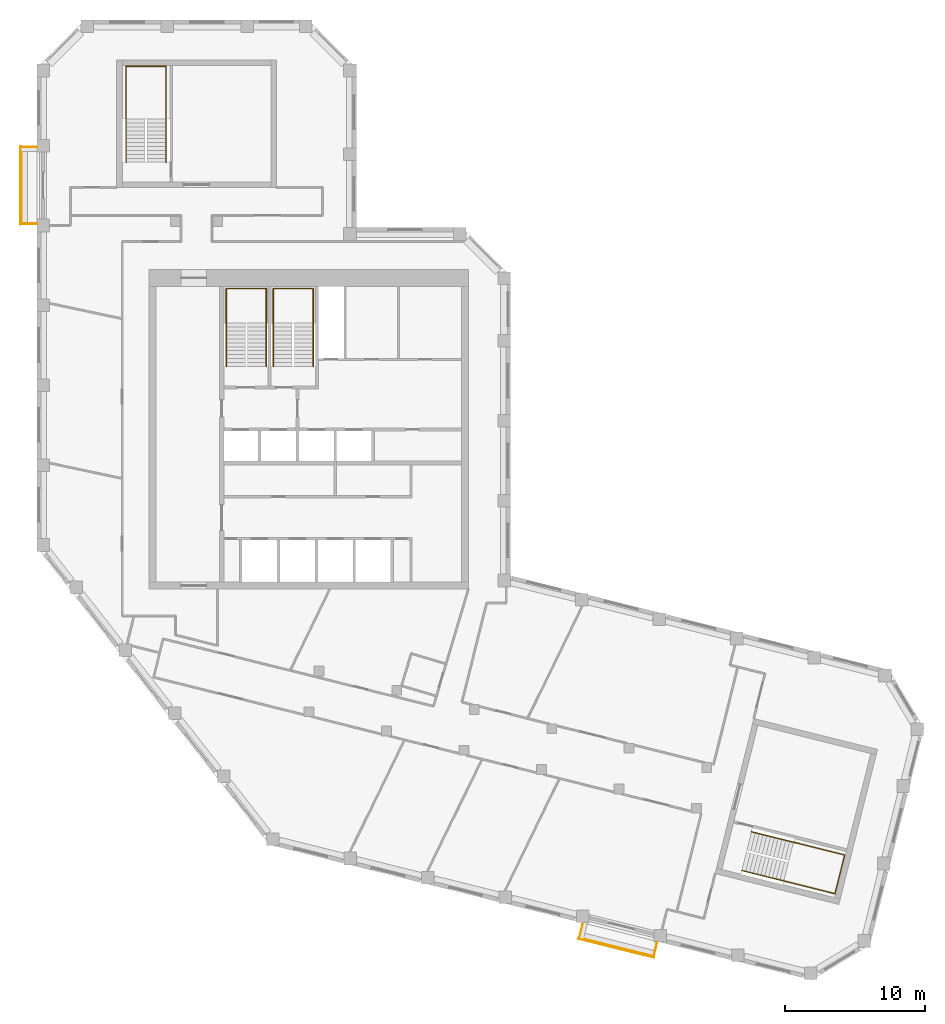
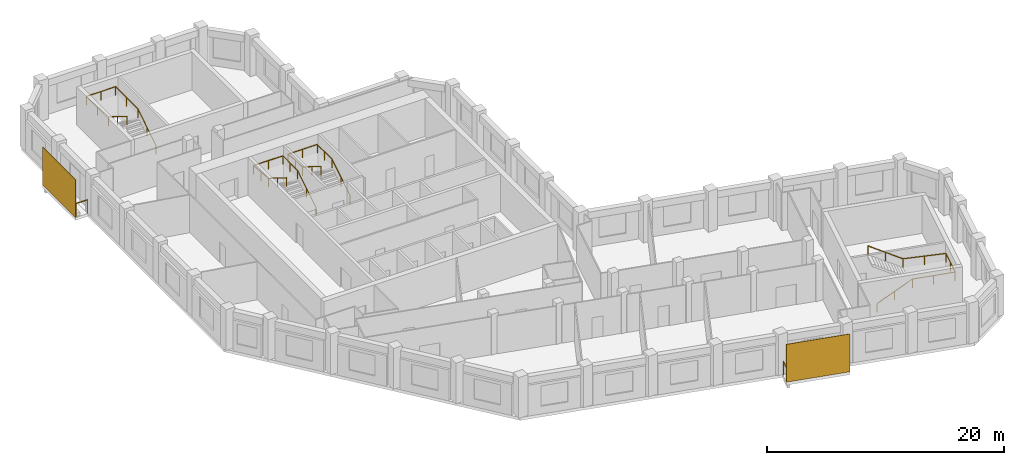
# One storey, part 8 of 8: 6 railings, 2 shading devices.
"""IFC4 building model written with IfcOpenShell, lengths in metres."""

from ifc_helpers import new_model, si_unit, direction, frame, origin, origin_2d, place, context, subcontext, project, spatial, rectangle, circle, extrude, material, layer, layer_set, type_object, element, save


model = new_model("IFC4")

# Units and contexts
model_context = context("Model", 3, precision=1e-05, world=origin(), true_north=direction((0.0, 1.0)))
body_context = subcontext(model_context, "Body", "Model", "MODEL_VIEW")
ifc_project = project(units=[si_unit("LENGTHUNIT", "METRE"), si_unit("AREAUNIT", "SQUARE_METRE"), si_unit("VOLUMEUNIT", "CUBIC_METRE"), si_unit("PLANEANGLEUNIT", "RADIAN"), si_unit("MASSUNIT", "GRAM", prefix="KILO")], contexts=[model_context])

# Site, building, storey
site_placement = place(None, origin())
site = spatial("IfcSite", under=ifc_project, at=site_placement, CompositionType="ELEMENT")
building_placement = place(site_placement, origin())
building = spatial("IfcBuilding", under=site, at=building_placement, Name="Meshkara Civic Tower", CompositionType="ELEMENT")
storey_placement = place(building_placement, frame((0.0, 0.0, 366.60009765625)))
storey = spatial("IfcBuildingStorey", under=building, at=storey_placement, Name="L84", CompositionType="ELEMENT", Elevation=366.60009765625)

# Railings
ifc_material_1 = material(Name="Steel S355", Category="steel")
railing_type_1 = type_object("IfcRailingType", Name="BALUSTRADE GUARD 1400", PredefinedType="BALUSTRADE", material=ifc_material_1)
railing_1_placement = place(storey_placement, frame((0.0, 45.635009765625, 0.0)))
element("IfcRailing", 1, at=railing_1_placement, inside=storey, type_object=railing_type_1, Name="Balcony guard", PredefinedType="BALUSTRADE", context=body_context, shape_type="SweptSolid", body=[
    extrude(circle(Radius=0.02392578125, at=origin_2d()), frame((0.0, 0.0, 1.3759765625), z_axis=(-1.0, 0.0, 0.0), x_axis=(0.0, -1.0, 0.0)), (0.0, 0.0, 1.0), 1.110107421875),
    extrude(circle(Radius=0.02392578125, at=origin_2d()), frame((-1.110107421875, 0.0, 1.3759765625), z_axis=(0.0, -1.0, 0.0), x_axis=(1.0, 0.0, 0.0)), (0.0, 0.0, 1.0), 5.4599609375),
    extrude(circle(Radius=0.02392578125, at=origin_2d()), frame((-1.110107421875, -5.4599609375, 1.3759765625), z_axis=(1.0, 0.0, 0.0), x_axis=(0.0, 1.0, 0.0)), (0.0, 0.0, 1.0), 1.110107421875),
    extrude(circle(Radius=0.02099609375, at=origin_2d()), origin(), (0.0, 0.0, 1.0), 1.351806640625),
    extrude(circle(Radius=0.02099609375, at=origin_2d()), frame((-1.110107421875, 0.0, 0.0)), (0.0, 0.0, 1.0), 1.351806640625),
    extrude(circle(Radius=0.02099609375, at=origin_2d()), frame((-1.110107421875, -1.092041015625, 0.0)), (0.0, 0.0, 1.0), 1.351806640625),
    extrude(circle(Radius=0.02099609375, at=origin_2d()), frame((-1.110107421875, -2.18408203125, 0.0)), (0.0, 0.0, 1.0), 1.351806640625),
    extrude(circle(Radius=0.02099609375, at=origin_2d()), frame((-1.110107421875, -3.27587890625, 0.0)), (0.0, 0.0, 1.0), 1.351806640625),
    extrude(circle(Radius=0.02099609375, at=origin_2d()), frame((-1.110107421875, -4.367919921875, 0.0)), (0.0, 0.0, 1.0), 1.351806640625),
    extrude(circle(Radius=0.02099609375, at=origin_2d()), frame((-1.110107421875, -5.4599609375, 0.0)), (0.0, 0.0, 1.0), 1.351806640625),
    extrude(circle(Radius=0.02099609375, at=origin_2d()), frame((0.0, -5.4599609375, 0.0)), (0.0, 0.0, 1.0), 1.351806640625),
])
railing_2_placement = place(storey_placement, frame((38.958984375, -9.81201171875, 0.0)))
element("IfcRailing", 2, at=railing_2_placement, inside=storey, type_object=railing_type_1, Name="Balcony guard", PredefinedType="BALUSTRADE", context=body_context, shape_type="SweptSolid", body=[
    extrude(circle(Radius=0.02392578125, at=origin_2d()), frame((0.0, 0.0, 1.3759765625), z_axis=(-0.242365897307, -0.970184916303, 0.0), x_axis=(0.970184916303, -0.242365897307, 0.0)), (0.0, 0.0, 1.0), 1.015380859375),
    extrude(circle(Radius=0.02392578125, at=origin_2d()), frame((-0.24609375, -0.985107421875, 1.3759765625), z_axis=(0.970334237753, -0.241767382094, 0.0), x_axis=(0.241767382094, 0.970334237753, 0.0)), (0.0, 0.0, 1.0), 5.458984375),
    extrude(circle(Radius=0.02392578125, at=origin_2d()), frame((5.051025390625, -2.304931640625, 1.3759765625), z_axis=(0.242648904851, 0.970114173164, 0.0), x_axis=(-0.970114173164, 0.242648904851, 0.0)), (0.0, 0.0, 1.0), 1.01416015625),
    extrude(circle(Radius=0.02099609375, at=origin_2d()), origin(), (0.0, 0.0, 1.0), 1.351806640625),
    extrude(circle(Radius=0.02099609375, at=origin_2d()), frame((-0.24609375, -0.985107421875, 0.0)), (0.0, 0.0, 1.0), 1.351806640625),
    extrude(circle(Radius=0.02099609375, at=origin_2d()), frame((0.813232421875, -1.2490234375, 0.0)), (0.0, 0.0, 1.0), 1.351806640625),
    extrude(circle(Radius=0.02099609375, at=origin_2d()), frame((1.872802734375, -1.512939453125, 0.0)), (0.0, 0.0, 1.0), 1.351806640625),
    extrude(circle(Radius=0.02099609375, at=origin_2d()), frame((2.93212890625, -1.777099609375, 0.0)), (0.0, 0.0, 1.0), 1.351806640625),
    extrude(circle(Radius=0.02099609375, at=origin_2d()), frame((3.99169921875, -2.041015625, 0.0)), (0.0, 0.0, 1.0), 1.351806640625),
    extrude(circle(Radius=0.02099609375, at=origin_2d()), frame((5.051025390625, -2.304931640625, 0.0)), (0.0, 0.0, 1.0), 1.351806640625),
    extrude(circle(Radius=0.02099609375, at=origin_2d()), frame((5.297119140625, -1.321044921875, 0.0)), (0.0, 0.0, 1.0), 1.351806640625),
])

# Shading devices
ifc_material_2 = material(Name="Perforated bronze anodised aluminium sheet", Category="aluminium")
ifc_layer = layer(ifc_material_2, 0.0400390625)
ifc_layer_set = layer_set([ifc_layer], Name="PERFORATED BRONZE SCREEN")
shading_device_type = type_object("IfcShadingDeviceType", Name="PERFORATED BRONZE SCREEN", PredefinedType="USERDEFINED", material=ifc_layer_set)
shading_device_1_placement = place(storey_placement, frame((-1.179931640625, 42.905029296875, 0.0), z_axis=(0.0, 0.0, 1.0), x_axis=(0.0, -1.0, 0.0)))
element("IfcShadingDevice", 3, at=shading_device_1_placement, inside=storey, type_object=shading_device_type, Name="Balcony screen", ObjectType="SCREEN", PredefinedType="USERDEFINED", context=body_context, shape_type="SweptSolid", body=[
    extrude(rectangle(XDim=5.580078125, YDim=0.0400390625, at=origin_2d()), origin(), (0.0, 0.0, 1.0), 3.89990234375),
])
shading_device_2_placement = place(storey_placement, frame((41.344970703125, -11.52490234375, 0.0), z_axis=(0.0, 0.0, 1.0), x_axis=(0.970295726276, -0.2419218956, 0.0)))
element("IfcShadingDevice", 4, at=shading_device_2_placement, inside=storey, type_object=shading_device_type, Name="Balcony screen", ObjectType="SCREEN", PredefinedType="USERDEFINED", context=body_context, shape_type="SweptSolid", body=[
    extrude(rectangle(XDim=5.5791015625, YDim=0.0400390625, at=origin_2d()), origin(), (0.0, 0.0, 1.0), 3.89990234375),
])

# Railings
ifc_material_3 = material(Name="Steel handrail", Category="steel")
railing_type_2 = type_object("IfcRailingType", Name="Stair handrail 900", PredefinedType="HANDRAIL", material=ifc_material_3)
railing_3_placement = place(storey_placement, frame((16.375, 30.0, 0.1748046875)))
element("IfcRailing", 5, at=railing_3_placement, inside=storey, type_object=railing_type_2, Name="L84 ST1 stair handrail 1", PredefinedType="HANDRAIL", context=body_context, shape_type="SweptSolid", body=[
    extrude(circle(Radius=0.02392578125, at=origin_2d()), frame((0.0, 0.0, 0.8759765625), z_axis=(0.0, 0.847998304005, 0.529998940003), x_axis=(-1.0, 0.0, 0.0)), (0.0, 0.0, 1.0), 3.632080078125),
    extrude(circle(Radius=0.02392578125, at=origin_2d()), frame((0.0, 3.080078125, 2.80078125), z_axis=(0.0, 1.0, 0.0), x_axis=(-1.0, 0.0, 0.0)), (0.0, 0.0, 1.0), 2.469970703125),
    extrude(circle(Radius=0.02392578125, at=origin_2d()), frame((0.0, 5.550048828125, 2.80078125), z_axis=(-1.0, 0.0, 0.0), x_axis=(0.0, -1.0, 0.0)), (0.0, 0.0, 1.0), 2.85009765625),
    extrude(circle(Radius=0.02392578125, at=origin_2d()), frame((-2.85009765625, 5.550048828125, 2.80078125), z_axis=(0.0, -0.997498084828, 0.070693498747), x_axis=(1.0, 0.0, 0.0)), (0.0, 0.0, 1.0), 2.47607421875),
    extrude(circle(Radius=0.02392578125, at=origin_2d()), frame((-2.85009765625, 3.080078125, 2.97607421875), z_axis=(0.0, -0.847998304005, 0.529998940003), x_axis=(1.0, 0.0, 0.0)), (0.0, 0.0, 1.0), 3.632080078125),
    extrude(circle(Radius=0.02099609375, at=origin_2d()), origin(), (0.0, 0.0, 1.0), 0.851806640625),
    extrude(circle(Radius=0.02099609375, at=origin_2d()), frame((0.0, 1.5400390625, 0.96240234375)), (0.0, 0.0, 1.0), 0.851806640625),
    extrude(circle(Radius=0.02099609375, at=origin_2d()), frame((0.0, 3.080078125, 1.925048828125)), (0.0, 0.0, 1.0), 0.851806640625),
    extrude(circle(Radius=0.02099609375, at=origin_2d()), frame((0.0, 4.31494140625, 1.925048828125)), (0.0, 0.0, 1.0), 0.851806640625),
    extrude(circle(Radius=0.02099609375, at=origin_2d()), frame((0.0, 5.550048828125, 1.925048828125)), (0.0, 0.0, 1.0), 0.851806640625),
    extrude(circle(Radius=0.02099609375, at=origin_2d()), frame((-1.425048828125, 5.550048828125, 1.925048828125)), (0.0, 0.0, 1.0), 0.851806640625),
    extrude(circle(Radius=0.02099609375, at=origin_2d()), frame((-2.85009765625, 5.550048828125, 1.925048828125)), (0.0, 0.0, 1.0), 0.851806640625),
    extrude(circle(Radius=0.02099609375, at=origin_2d()), frame((-2.85009765625, 4.31494140625, 2.0126953125)), (0.0, 0.0, 1.0), 0.851806640625),
    extrude(circle(Radius=0.02099609375, at=origin_2d()), frame((-2.85009765625, 3.080078125, 2.10009765625)), (0.0, 0.0, 1.0), 0.851806640625),
    extrude(circle(Radius=0.02099609375, at=origin_2d()), frame((-2.85009765625, 1.5400390625, 3.0625)), (0.0, 0.0, 1.0), 0.851806640625),
    extrude(circle(Radius=0.02099609375, at=origin_2d()), frame((-2.85009765625, 0.0, 4.025146484375)), (0.0, 0.0, 1.0), 0.851806640625),
])
railing_4_placement = place(storey_placement, frame((19.72509765625, 30.0, 0.1748046875)))
element("IfcRailing", 6, at=railing_4_placement, inside=storey, type_object=railing_type_2, Name="L84 ST2 stair handrail 1", PredefinedType="HANDRAIL", context=body_context, shape_type="SweptSolid", body=[
    extrude(circle(Radius=0.02392578125, at=origin_2d()), frame((0.0, 0.0, 0.8759765625), z_axis=(0.0, 0.847998304005, 0.529998940003), x_axis=(-1.0, 0.0, 0.0)), (0.0, 0.0, 1.0), 3.632080078125),
    extrude(circle(Radius=0.02392578125, at=origin_2d()), frame((0.0, 3.080078125, 2.80078125), z_axis=(0.0, 1.0, 0.0), x_axis=(-1.0, 0.0, 0.0)), (0.0, 0.0, 1.0), 2.469970703125),
    extrude(circle(Radius=0.02392578125, at=origin_2d()), frame((0.0, 5.550048828125, 2.80078125), z_axis=(-1.0, 0.0, 0.0), x_axis=(0.0, -1.0, 0.0)), (0.0, 0.0, 1.0), 2.85009765625),
    extrude(circle(Radius=0.02392578125, at=origin_2d()), frame((-2.85009765625, 5.550048828125, 2.80078125), z_axis=(0.0, -0.997498084828, 0.070693498747), x_axis=(1.0, 0.0, 0.0)), (0.0, 0.0, 1.0), 2.47607421875),
    extrude(circle(Radius=0.02392578125, at=origin_2d()), frame((-2.85009765625, 3.080078125, 2.97607421875), z_axis=(0.0, -0.847998304005, 0.529998940003), x_axis=(1.0, 0.0, 0.0)), (0.0, 0.0, 1.0), 3.632080078125),
    extrude(circle(Radius=0.02099609375, at=origin_2d()), origin(), (0.0, 0.0, 1.0), 0.851806640625),
    extrude(circle(Radius=0.02099609375, at=origin_2d()), frame((0.0, 1.5400390625, 0.96240234375)), (0.0, 0.0, 1.0), 0.851806640625),
    extrude(circle(Radius=0.02099609375, at=origin_2d()), frame((0.0, 3.080078125, 1.925048828125)), (0.0, 0.0, 1.0), 0.851806640625),
    extrude(circle(Radius=0.02099609375, at=origin_2d()), frame((0.0, 4.31494140625, 1.925048828125)), (0.0, 0.0, 1.0), 0.851806640625),
    extrude(circle(Radius=0.02099609375, at=origin_2d()), frame((0.0, 5.550048828125, 1.925048828125)), (0.0, 0.0, 1.0), 0.851806640625),
    extrude(circle(Radius=0.02099609375, at=origin_2d()), frame((-1.425048828125, 5.550048828125, 1.925048828125)), (0.0, 0.0, 1.0), 0.851806640625),
    extrude(circle(Radius=0.02099609375, at=origin_2d()), frame((-2.85009765625, 5.550048828125, 1.925048828125)), (0.0, 0.0, 1.0), 0.851806640625),
    extrude(circle(Radius=0.02099609375, at=origin_2d()), frame((-2.85009765625, 4.31494140625, 2.0126953125)), (0.0, 0.0, 1.0), 0.851806640625),
    extrude(circle(Radius=0.02099609375, at=origin_2d()), frame((-2.85009765625, 3.080078125, 2.10009765625)), (0.0, 0.0, 1.0), 0.851806640625),
    extrude(circle(Radius=0.02099609375, at=origin_2d()), frame((-2.85009765625, 1.5400390625, 3.0625)), (0.0, 0.0, 1.0), 0.851806640625),
    extrude(circle(Radius=0.02099609375, at=origin_2d()), frame((-2.85009765625, 0.0, 4.025146484375)), (0.0, 0.0, 1.0), 0.851806640625),
])
railing_5_placement = place(storey_placement, frame((9.22509765625, 44.570068359375, 0.1748046875)))
element("IfcRailing", 7, at=railing_5_placement, inside=storey, type_object=railing_type_2, Name="L84 ESA6 stair handrail 1", PredefinedType="HANDRAIL", context=body_context, shape_type="SweptSolid", body=[
    extrude(circle(Radius=0.02392578125, at=origin_2d()), frame((0.0, 0.0, 0.8759765625), z_axis=(0.0, 0.847979421464, 0.530029150871), x_axis=(-1.0, 0.0, 0.0)), (0.0, 0.0, 1.0), 3.632080078125),
    extrude(circle(Radius=0.02392578125, at=origin_2d()), frame((0.0, 3.079833984375, 2.80078125), z_axis=(0.0, 1.0, 0.0), x_axis=(-1.0, 0.0, 0.0)), (0.0, 0.0, 1.0), 3.77001953125),
    extrude(circle(Radius=0.02392578125, at=origin_2d()), frame((0.0, 6.849853515625, 2.80078125), z_axis=(-1.0, 0.0, 0.0), x_axis=(0.0, -1.0, 0.0)), (0.0, 0.0, 1.0), 2.85009765625),
    extrude(circle(Radius=0.02392578125, at=origin_2d()), frame((-2.85009765625, 6.849853515625, 2.80078125), z_axis=(0.0, -0.9989237834, 0.046381838667), x_axis=(1.0, 0.0, 0.0)), (0.0, 0.0, 1.0), 3.774169921875),
    extrude(circle(Radius=0.02392578125, at=origin_2d()), frame((-2.85009765625, 3.079833984375, 2.97607421875), z_axis=(0.0, -0.847979421464, 0.530029150871), x_axis=(1.0, 0.0, 0.0)), (0.0, 0.0, 1.0), 3.632080078125),
    extrude(circle(Radius=0.02099609375, at=origin_2d()), origin(), (0.0, 0.0, 1.0), 0.851806640625),
    extrude(circle(Radius=0.02099609375, at=origin_2d()), frame((0.0, 1.5400390625, 0.96240234375)), (0.0, 0.0, 1.0), 0.851806640625),
    extrude(circle(Radius=0.02099609375, at=origin_2d()), frame((0.0, 3.079833984375, 1.925048828125)), (0.0, 0.0, 1.0), 0.851806640625),
    extrude(circle(Radius=0.02099609375, at=origin_2d()), frame((0.0, 4.96484375, 1.925048828125)), (0.0, 0.0, 1.0), 0.851806640625),
    extrude(circle(Radius=0.02099609375, at=origin_2d()), frame((0.0, 6.849853515625, 1.925048828125)), (0.0, 0.0, 1.0), 0.851806640625),
    extrude(circle(Radius=0.02099609375, at=origin_2d()), frame((-1.425048828125, 6.849853515625, 1.925048828125)), (0.0, 0.0, 1.0), 0.851806640625),
    extrude(circle(Radius=0.02099609375, at=origin_2d()), frame((-2.85009765625, 6.849853515625, 1.925048828125)), (0.0, 0.0, 1.0), 0.851806640625),
    extrude(circle(Radius=0.02099609375, at=origin_2d()), frame((-2.85009765625, 4.96484375, 2.0126953125)), (0.0, 0.0, 1.0), 0.851806640625),
    extrude(circle(Radius=0.02099609375, at=origin_2d()), frame((-2.85009765625, 3.079833984375, 2.10009765625)), (0.0, 0.0, 1.0), 0.851806640625),
    extrude(circle(Radius=0.02099609375, at=origin_2d()), frame((-2.85009765625, 1.5400390625, 3.0625)), (0.0, 0.0, 1.0), 0.851806640625),
    extrude(circle(Radius=0.02099609375, at=origin_2d()), frame((-2.85009765625, 0.0, 4.025146484375)), (0.0, 0.0, 1.0), 0.851806640625),
])
railing_6_placement = place(storey_placement, frame((50.31884765625, -5.975341796875, 0.1748046875)))
element("IfcRailing", 8, at=railing_6_placement, inside=storey, type_object=railing_type_2, Name="L84 ESB6 stair handrail 1", PredefinedType="HANDRAIL", context=body_context, shape_type="SweptSolid", body=[
    extrude(circle(Radius=0.02392578125, at=origin_2d()), frame((0.0, 0.0, 0.8759765625), z_axis=(0.822816010835, -0.205082235851, 0.530014234575), x_axis=(0.241845469214, 0.970314778317, 0.0)), (0.0, 0.0, 1.0), 3.632080078125),
    extrude(circle(Radius=0.02392578125, at=origin_2d()), frame((2.988525390625, -0.744873046875, 2.80078125), z_axis=(0.970325068916, -0.241804178279, 0.0), x_axis=(0.241804178279, 0.970325068916, 0.0)), (0.0, 0.0, 1.0), 3.77001953125),
    extrude(circle(Radius=0.02392578125, at=origin_2d()), frame((6.646728515625, -1.656494140625, 2.80078125), z_axis=(0.24183009087, 0.970318611153, 0.0), x_axis=(-0.970318611153, 0.24183009087, 0.0)), (0.0, 0.0, 1.0), 2.849853515625),
    extrude(circle(Radius=0.02392578125, at=origin_2d()), frame((7.3359375, 1.10888671875, 2.80078125), z_axis=(-0.969265675791, 0.241604865128, 0.046380371699), x_axis=(-0.241865147941, -0.970309873294, 0.0)), (0.0, 0.0, 1.0), 3.774169921875),
    extrude(circle(Radius=0.02392578125, at=origin_2d()), frame((3.677734375, 2.020751953125, 2.97607421875), z_axis=(-0.822827351915, 0.205017843586, 0.530021539894), x_axis=(-0.241770835762, -0.970333377234, 0.0)), (0.0, 0.0, 1.0), 3.632080078125),
    extrude(circle(Radius=0.02099609375, at=origin_2d()), origin(), (0.0, 0.0, 1.0), 0.851806640625),
    extrude(circle(Radius=0.02099609375, at=origin_2d()), frame((1.494140625, -0.37255859375, 0.96240234375)), (0.0, 0.0, 1.0), 0.851806640625),
    extrude(circle(Radius=0.02099609375, at=origin_2d()), frame((2.988525390625, -0.744873046875, 1.925048828125)), (0.0, 0.0, 1.0), 0.851806640625),
    extrude(circle(Radius=0.02099609375, at=origin_2d()), frame((4.817626953125, -1.20068359375, 1.925048828125)), (0.0, 0.0, 1.0), 0.851806640625),
    extrude(circle(Radius=0.02099609375, at=origin_2d()), frame((6.646728515625, -1.656494140625, 1.925048828125)), (0.0, 0.0, 1.0), 0.851806640625),
    extrude(circle(Radius=0.02099609375, at=origin_2d()), frame((6.9912109375, -0.27392578125, 1.925048828125)), (0.0, 0.0, 1.0), 0.851806640625),
    extrude(circle(Radius=0.02099609375, at=origin_2d()), frame((7.3359375, 1.10888671875, 1.925048828125)), (0.0, 0.0, 1.0), 0.851806640625),
    extrude(circle(Radius=0.02099609375, at=origin_2d()), frame((5.5068359375, 1.56494140625, 2.0126953125)), (0.0, 0.0, 1.0), 0.851806640625),
    extrude(circle(Radius=0.02099609375, at=origin_2d()), frame((3.677734375, 2.020751953125, 2.10009765625)), (0.0, 0.0, 1.0), 0.851806640625),
    extrude(circle(Radius=0.02099609375, at=origin_2d()), frame((2.18359375, 2.39306640625, 3.0625)), (0.0, 0.0, 1.0), 0.851806640625),
    extrude(circle(Radius=0.02099609375, at=origin_2d()), frame((0.689208984375, 2.765380859375, 4.025146484375)), (0.0, 0.0, 1.0), 0.851806640625),
])

save(model, "model.ifc")
